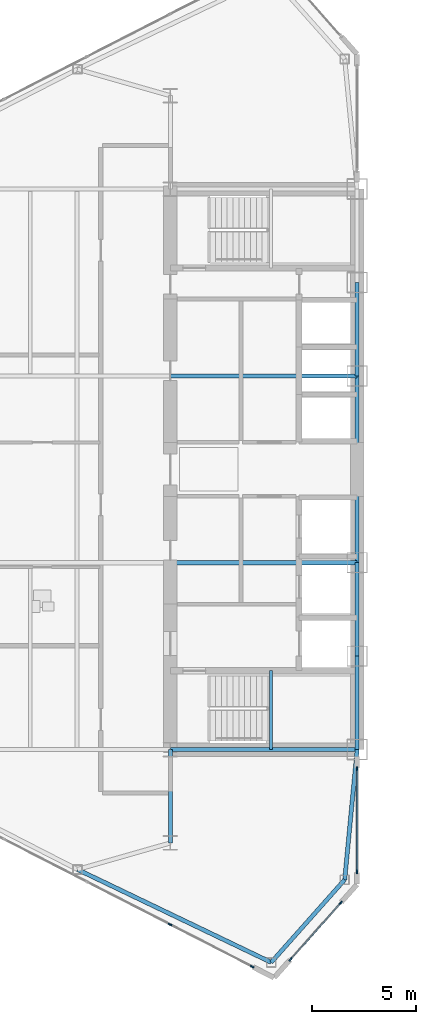
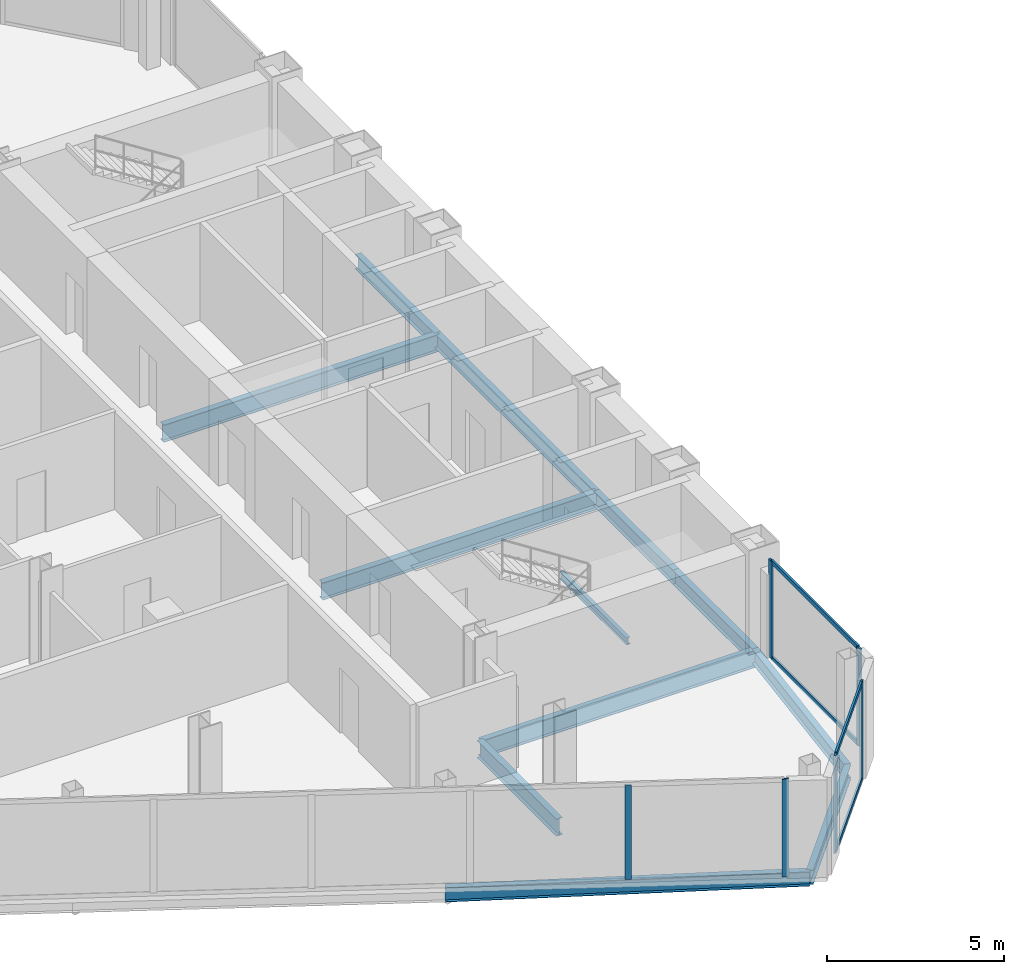
# One storey, part 5 of 23: 12 beams, 10 members, 3 elements without a shape of their own.
"""IFC4 building model written with IfcOpenShell, lengths in metres."""

from ifc_helpers import new_model, si_unit, direction, frame, origin, origin_2d, place, context, subcontext, project, spatial, rectangle, i_section, extrude, source, transform, mapped, material, layer, layer_set, material_profile, profile_set, type_object, type_shapes, element, aggregate, save


model = new_model("IFC4")

# Units and contexts
model_context = context("Model", 3, precision=1e-05, world=origin(), true_north=direction((0.0, 1.0)))
body_context = subcontext(model_context, "Body", "Model", "MODEL_VIEW")
ifc_project = project(units=[si_unit("LENGTHUNIT", "METRE"), si_unit("AREAUNIT", "SQUARE_METRE"), si_unit("VOLUMEUNIT", "CUBIC_METRE"), si_unit("PLANEANGLEUNIT", "RADIAN"), si_unit("MASSUNIT", "GRAM", prefix="KILO")], contexts=[model_context])

# Site, building, storey
site_placement = place(None, origin())
site = spatial("IfcSite", under=ifc_project, at=site_placement, CompositionType="ELEMENT")
building_placement = place(site_placement, origin())
building = spatial("IfcBuilding", under=site, at=building_placement, Name="Seokmaru Belvedere", CompositionType="ELEMENT")
storey_placement = place(building_placement, frame((0.0, 0.0, 128.39990234375)))
storey = spatial("IfcBuildingStorey", under=building, at=storey_placement, Name="L34", CompositionType="ELEMENT", Elevation=128.39990234375)

# Beams
ifc_material_1 = material(Name="Steel SM355 (355 MPa)", Category="steel")
ifc_material_profile_1 = material_profile(ifc_material_1, i_section(OverallWidth=0.199951171875, OverallDepth=0.5, WebThickness=0.010009765625, FlangeThickness=0.01611328125, at=origin_2d()), Name="H-500x200x10x16")
ifc_profile_set_1 = profile_set([ifc_material_profile_1], Name="Steel SM355 (355 MPa)")
beam_type_1 = type_object("IfcBeamType", Name="Perimeter Spandrel Beam H-500", PredefinedType="SPANDREL", material=ifc_profile_set_1)
shared_shape_1 = source(origin(), body_context, "Body", "SweptSolid", [
    extrude(i_section(OverallWidth=0.199951171875, OverallDepth=0.5, WebThickness=0.010009765625, FlangeThickness=0.01611328125, at=origin_2d()), origin(), (0.0, 0.0, 1.0), 4.5),
])
for number, where, z_axis, x_axis, name in (
    (1, (-27.5, -13.5, -0.469970703125), (0.0, 1.0, 0.0), (-1.0, 0.0, 0.0), "L34 W Portal Spine Spandrel 1"),
    (2, (-27.5, -9.0, -0.469970703125), (0.0, 1.0, 0.0), (-1.0, 0.0, 0.0), "L34 W Portal Spine Spandrel 2"),
    (3, (-27.5, 4.5, -0.469970703125), (0.0, 1.0, 0.0), (-1.0, 0.0, 0.0), "L34 W Portal Spine Spandrel 4"),
):
    element("IfcBeam", number, at=place(storey_placement, frame(where, z_axis=z_axis, x_axis=x_axis)), inside=storey, type_object=beam_type_1, Name=name, PredefinedType="SPANDREL", context=body_context, shape_type="MappedRepresentation", body=[
        mapped(shared_shape_1, transform((0.0, 0.0, 0.0), scale=1.0)),
    ])
shared_shape_2 = source(origin(), body_context, "Body", "SweptSolid", [
    extrude(i_section(OverallWidth=0.199951171875, OverallDepth=0.5, WebThickness=0.010009765625, FlangeThickness=0.01611328125, at=origin_2d()), origin(), (0.0, 0.0, 1.0), 9.0),
])
beam_1_placement = place(storey_placement, frame((-27.5, -4.5, -0.469970703125), z_axis=(0.0, 1.0, 0.0), x_axis=(-1.0, 0.0, 0.0)))
element("IfcBeam", 4, at=beam_1_placement, inside=storey, type_object=beam_type_1, Name="L34 W Portal Spine Spandrel 3", PredefinedType="SPANDREL", context=body_context, shape_type="MappedRepresentation", body=[
    mapped(shared_shape_2, transform((0.0, 0.0, 0.0), scale=1.0)),
])
ifc_material_profile_2 = material_profile(ifc_material_1, i_section(OverallWidth=0.199951171875, OverallDepth=0.60009765625, WebThickness=0.010986328125, FlangeThickness=0.01708984375, at=origin_2d()), Name="H-600x200x11x17")
ifc_profile_set_2 = profile_set([ifc_material_profile_2], Name="Steel SM355 (355 MPa)")
beam_type_2 = type_object("IfcBeamType", Name="Primary Floor Girder H-600", PredefinedType="BEAM", material=ifc_profile_set_2)
shared_shape_3 = source(origin(), body_context, "Body", "SweptSolid", [
    extrude(i_section(OverallWidth=0.199951171875, OverallDepth=0.60009765625, WebThickness=0.010986328125, FlangeThickness=0.01708984375, at=origin_2d()), origin(), (0.0, 0.0, 1.0), 9.0),
])
for number, where, z_axis, x_axis, name in (
    (5, (-36.5, -13.5, -0.52001953125), (1.0, 0.0, 0.0), (0.0, 1.0, 0.0), "L34 W Core Tie Girder 1"),
    (6, (-36.5, -4.5, -0.52001953125), (1.0, 0.0, 0.0), (0.0, 1.0, 0.0), "L34 W Core Tie Girder 2"),
    (7, (-36.5, 4.5, -0.52001953125), (1.0, 0.0, 0.0), (0.0, 1.0, 0.0), "L34 W Core Tie Girder 3"),
):
    element("IfcBeam", number, at=place(storey_placement, frame(where, z_axis=z_axis, x_axis=x_axis)), inside=storey, type_object=beam_type_2, Name=name, PredefinedType="BEAM", context=body_context, shape_type="MappedRepresentation", body=[
        mapped(shared_shape_3, transform((0.0, 0.0, 0.0), scale=1.0)),
    ])
shared_shape_4 = source(origin(), body_context, "Body", "SweptSolid", [
    extrude(i_section(OverallWidth=0.199951171875, OverallDepth=0.60009765625, WebThickness=0.010986328125, FlangeThickness=0.01708984375, at=origin_2d()), origin(), (0.0, 0.0, 1.0), 4.5),
])
type_shapes(beam_type_2, [shared_shape_3, shared_shape_4])
beam_2_placement = place(storey_placement, frame((-36.5, -18.0, -0.52001953125), z_axis=(0.0, 1.0, 0.0), x_axis=(-1.0, 0.0, 0.0)))
element("IfcBeam", 8, at=beam_2_placement, inside=storey, type_object=beam_type_2, Name="L34 W Core Shoulder Girder S", PredefinedType="BEAM", context=body_context, shape_type="MappedRepresentation", body=[
    mapped(shared_shape_4, transform((0.0, 0.0, 0.0), scale=1.0)),
])
shared_shape_5 = source(origin(), body_context, "Body", "SweptSolid", [
    extrude(i_section(OverallWidth=0.199951171875, OverallDepth=0.5, WebThickness=0.010009765625, FlangeThickness=0.01611328125, at=origin_2d()), origin(), (0.0, 0.0, 1.0), 10.353759765625),
])
beam_3_placement = place(storey_placement, frame((-31.6396484375, -23.75390625, -0.469970703125), z_axis=(-0.901713202822, 0.432334708134, 0.0), x_axis=(-0.432334708134, -0.901713202822, 0.0)))
element("IfcBeam", 9, at=beam_3_placement, inside=storey, type_object=beam_type_1, Name="L34 W Faceted Flank Spandrel S-1", PredefinedType="SPANDREL", context=body_context, shape_type="MappedRepresentation", body=[
    mapped(shared_shape_5, transform((0.0, 0.0, 0.0), scale=1.0)),
])
shared_shape_6 = source(origin(), body_context, "Body", "SweptSolid", [
    extrude(i_section(OverallWidth=0.199951171875, OverallDepth=0.5, WebThickness=0.010009765625, FlangeThickness=0.01611328125, at=origin_2d()), origin(), (0.0, 0.0, 1.0), 5.32763671875),
])
beam_4_placement = place(storey_placement, frame((-31.6396484375, -23.75390625, -0.469970703125), z_axis=(0.66436952742, 0.74740426212, 0.0), x_axis=(-0.74740426212, 0.66436952742, 0.0)))
element("IfcBeam", 10, at=beam_4_placement, inside=storey, type_object=beam_type_1, Name="L34 W Shoulder Chamfer Spandrel S", PredefinedType="SPANDREL", context=body_context, shape_type="MappedRepresentation", body=[
    mapped(shared_shape_6, transform((0.0, 0.0, 0.0), scale=1.0)),
])
shared_shape_7 = source(origin(), body_context, "Body", "SweptSolid", [
    extrude(i_section(OverallWidth=0.199951171875, OverallDepth=0.5, WebThickness=0.010009765625, FlangeThickness=0.01611328125, at=origin_2d()), origin(), (0.0, 0.0, 1.0), 6.300537109375),
])
type_shapes(beam_type_1, [shared_shape_1, shared_shape_2, shared_shape_5, shared_shape_6, shared_shape_7])
beam_5_placement = place(storey_placement, frame((-28.10009765625, -19.77197265625, -0.469970703125), z_axis=(0.095244287992, 0.995453929424, 0.0), x_axis=(-0.995453929424, 0.095244287992, 0.0)))
element("IfcBeam", 11, at=beam_5_placement, inside=storey, type_object=beam_type_1, Name="L34 W Shoulder Spine Spandrel S", PredefinedType="SPANDREL", context=body_context, shape_type="MappedRepresentation", body=[
    mapped(shared_shape_7, transform((0.0, 0.0, 0.0), scale=1.0)),
])

# Curtain wall, members
ifc_material_2 = material(Name="Bronze Triple Insulating Glass", Category="glass")
ifc_layer = layer(ifc_material_2, 0.195068359375)
ifc_layer_set = layer_set([ifc_layer], Name="Bronze Triple Insulating Glass")
curtain_wall_type = type_object("IfcCurtainWallType", Name="Sky-Lobby and Mid-Rise Curtain Wall System CW-4", PredefinedType="NOTDEFINED", material=ifc_layer_set)
curtain_wall_1_placement = place(storey_placement, origin())
curtain_wall_1 = element("IfcCurtainWall", 12, at=curtain_wall_1_placement, inside=storey, type_object=curtain_wall_type, Name="L34 Curtain Wall WSP_1", PredefinedType="NOTDEFINED")
ifc_material_3 = material(Name="Anodised Bronze Aluminium", Category="aluminium")
ifc_material_profile_3 = material_profile(ifc_material_3, rectangle(XDim=0.070068359375, YDim=0.195068359375, at=origin_2d()), Name="CW-M-70x195")
ifc_profile_set_3 = profile_set([ifc_material_profile_3], Name="Anodised Bronze Aluminium")
member_type_1 = type_object("IfcMemberType", Name="Bronze Unitised Mullion 70x195", PredefinedType="MULLION", material=ifc_profile_set_3)
shared_shape_8 = source(origin(), body_context, "Body", "SweptSolid", [
    extrude(rectangle(XDim=0.070068359375, YDim=0.195068359375, at=origin_2d()), origin(), (0.0, 0.0, 1.0), 3.380126953125),
])
member_1_placement = place(storey_placement, frame((-27.5, -19.39501953125, 0.0), z_axis=(0.0, 0.0, 1.0), x_axis=(-1.0, 0.0, 0.0)))
member_1 = element("IfcMember", 13, at=member_1_placement, type_object=member_type_1, Name="CW:L34:WSP_1 Mullion 1", PredefinedType="MULLION", context=body_context, shape_type="MappedRepresentation", body=[
    mapped(shared_shape_8, transform((0.0, 0.0, 0.0), scale=1.0)),
])
member_2_placement = place(storey_placement, frame((-27.5, -14.4150390625, 0.0), z_axis=(0.0, 0.0, 1.0), x_axis=(-1.0, 0.0, 0.0)))
member_2 = element("IfcMember", 14, at=member_2_placement, type_object=member_type_1, Name="CW:L34:WSP_1 Mullion 2", PredefinedType="MULLION", context=body_context, shape_type="MappedRepresentation", body=[
    mapped(shared_shape_8, transform((0.0, 0.0, 0.0), scale=1.0)),
])

# Curtain wall, member
curtain_wall_2_placement = place(storey_placement, origin())
curtain_wall_2 = element("IfcCurtainWall", 15, at=curtain_wall_2_placement, inside=storey, type_object=curtain_wall_type, Name="L34 Curtain Wall WF5", PredefinedType="NOTDEFINED")
member_3_placement = place(storey_placement, frame((-32.55419921875, -23.958984375, 0.0), z_axis=(0.0, 0.0, 1.0), x_axis=(0.456554528263, 0.889695432562, 0.0)))
member_3 = element("IfcMember", 16, at=member_3_placement, type_object=member_type_1, Name="CW:L34:WF5 Mullion 10", PredefinedType="MULLION", context=body_context, shape_type="MappedRepresentation", body=[
    mapped(shared_shape_8, transform((0.0, 0.0, 0.0), scale=1.0)),
])

# Curtain wall, members
curtain_wall_3_placement = place(storey_placement, origin())
curtain_wall_3 = element("IfcCurtainWall", 17, at=curtain_wall_3_placement, inside=storey, type_object=curtain_wall_type, Name="L34 Curtain Wall WF6", PredefinedType="NOTDEFINED")
member_4_placement = place(storey_placement, frame((-30.712646484375, -23.6142578125, 0.0), z_axis=(0.0, 0.0, 1.0), x_axis=(-0.747409774804, 0.664363325694, 0.0)))
member_4 = element("IfcMember", 18, at=member_4_placement, type_object=member_type_1, Name="CW:L34:WF6 Mullion 1", PredefinedType="MULLION", context=body_context, shape_type="MappedRepresentation", body=[
    mapped(shared_shape_8, transform((0.0, 0.0, 0.0), scale=1.0)),
])
member_5_placement = place(storey_placement, frame((-28.287353515625, -20.8857421875, 0.0), z_axis=(0.0, 0.0, 1.0), x_axis=(-0.747409774804, 0.664363325694, 0.0)))
member_5 = element("IfcMember", 19, at=member_5_placement, type_object=member_type_1, Name="CW:L34:WF6 Mullion 2", PredefinedType="MULLION", context=body_context, shape_type="MappedRepresentation", body=[
    mapped(shared_shape_8, transform((0.0, 0.0, 0.0), scale=1.0)),
])

# Member
ifc_material_profile_4 = material_profile(ifc_material_3, rectangle(XDim=0.06494140625, YDim=0.14990234375, at=origin_2d()), Name="CW-T-65x150")
ifc_profile_set_4 = profile_set([ifc_material_profile_4], Name="Anodised Bronze Aluminium")
member_type_2 = type_object("IfcMemberType", Name="Bronze Unitised Transom 65x150", PredefinedType="USERDEFINED", material=ifc_profile_set_4)
shared_shape_9 = source(origin(), body_context, "Body", "SweptSolid", [
    extrude(rectangle(XDim=0.06494140625, YDim=0.14990234375, at=origin_2d()), origin(), (0.0, 0.0, 1.0), 4.91015625),
])
member_6_placement = place(storey_placement, frame((-27.5, -19.360107421875, 0.03271484375), z_axis=(0.0, 1.0, 0.0), x_axis=(-1.0, 0.0, 0.0)))
member_6 = element("IfcMember", 20, at=member_6_placement, type_object=member_type_2, Name="CW:L34:WSP_1 Continuous Transom 1", ObjectType="TRANSOM", PredefinedType="USERDEFINED", context=body_context, shape_type="MappedRepresentation", body=[
    mapped(shared_shape_9, transform((0.0, 0.0, 0.0), scale=1.0)),
])

member_7_placement = place(storey_placement, frame((-27.5, -19.360107421875, 3.34765625), z_axis=(0.0, 1.0, 0.0), x_axis=(-1.0, 0.0, 0.0)))
member_7 = element("IfcMember", 21, at=member_7_placement, type_object=member_type_2, Name="CW:L34:WSP_1 Continuous Transom 2", ObjectType="TRANSOM", PredefinedType="USERDEFINED", context=body_context, shape_type="MappedRepresentation", body=[
    mapped(shared_shape_9, transform((0.0, 0.0, 0.0), scale=1.0)),
])

aggregate(curtain_wall_1, [member_1, member_2, member_6, member_7])

shared_shape_10 = source(origin(), body_context, "Body", "SweptSolid", [
    extrude(rectangle(XDim=0.06494140625, YDim=0.14990234375, at=origin_2d()), origin(), (0.0, 0.0, 1.0), 3.580810546875),
])
type_shapes(member_type_2, [shared_shape_9, shared_shape_10])
member_8_placement = place(storey_placement, frame((-30.689453125, -23.588134765625, 0.03271484375), z_axis=(0.66436383883, 0.747409318684, 0.0), x_axis=(-0.747409318684, 0.66436383883, 0.0)))
member_8 = element("IfcMember", 22, at=member_8_placement, type_object=member_type_2, Name="CW:L34:WF6 Continuous Transom 1", ObjectType="TRANSOM", PredefinedType="USERDEFINED", context=body_context, shape_type="MappedRepresentation", body=[
    mapped(shared_shape_10, transform((0.0, 0.0, 0.0), scale=1.0)),
])

member_9_placement = place(storey_placement, frame((-30.689453125, -23.588134765625, 3.34765625), z_axis=(0.66436383883, 0.747409318684, 0.0), x_axis=(-0.747409318684, 0.66436383883, 0.0)))
member_9 = element("IfcMember", 23, at=member_9_placement, type_object=member_type_2, Name="CW:L34:WF6 Continuous Transom 2", ObjectType="TRANSOM", PredefinedType="USERDEFINED", context=body_context, shape_type="MappedRepresentation", body=[
    mapped(shared_shape_10, transform((0.0, 0.0, 0.0), scale=1.0)),
])

aggregate(curtain_wall_3, [member_4, member_5, member_8, member_9])

shared_shape_11 = source(origin(), body_context, "Body", "SweptSolid", [
    extrude(rectangle(XDim=0.070068359375, YDim=0.195068359375, at=origin_2d()), origin(), (0.0, 0.0, 1.0), 3.25),
])
type_shapes(member_type_1, [shared_shape_8, shared_shape_11])
member_10_placement = place(storey_placement, frame((-36.51806640625, -21.925048828125, 0.065185546875), z_axis=(0.0, 0.0, 1.0), x_axis=(0.456554528263, 0.889695432562, 0.0)))
member_10 = element("IfcMember", 24, at=member_10_placement, type_object=member_type_1, Name="CW:L34:WF5 Mullion 9", PredefinedType="MULLION", context=body_context, shape_type="MappedRepresentation", body=[
    mapped(shared_shape_11, transform((0.0, 0.0, 0.0), scale=1.0)),
])

aggregate(curtain_wall_2, [member_10, member_3])

# Beam
ifc_material_profile_5 = material_profile(ifc_material_1, i_section(OverallWidth=0.125, OverallDepth=0.25, WebThickness=0.006103515625, FlangeThickness=0.009033203125, at=origin_2d()), Name="H-250x125x6x9")
ifc_profile_set_5 = profile_set([ifc_material_profile_5], Name="Steel SM355 (355 MPa)")
beam_type_3 = type_object("IfcBeamType", Name="Stair Mid-Landing Support Beam H-250", PredefinedType="JOIST", material=ifc_profile_set_5)
shared_shape_12 = source(origin(), body_context, "Body", "SweptSolid", [
    extrude(i_section(OverallWidth=0.125, OverallDepth=0.25, WebThickness=0.006103515625, FlangeThickness=0.009033203125, at=origin_2d()), origin(), (0.0, 0.0, 1.0), 3.800048828125),
])
type_shapes(beam_type_3, [shared_shape_12])
beam_6_placement = place(storey_placement, frame((-31.64990234375, -13.5, 1.47509765625), z_axis=(0.0, 1.0, 0.0), x_axis=(-1.0, 0.0, 0.0)))
element("IfcBeam", 25, at=beam_6_placement, inside=storey, type_object=beam_type_3, Name="L34 Stair ST-W1 Mid-Landing Support Beam 1", PredefinedType="JOIST", context=body_context, shape_type="MappedRepresentation", body=[
    mapped(shared_shape_12, transform((0.0, 0.0, 0.0), scale=1.0)),
])

save(model, "model.ifc")
